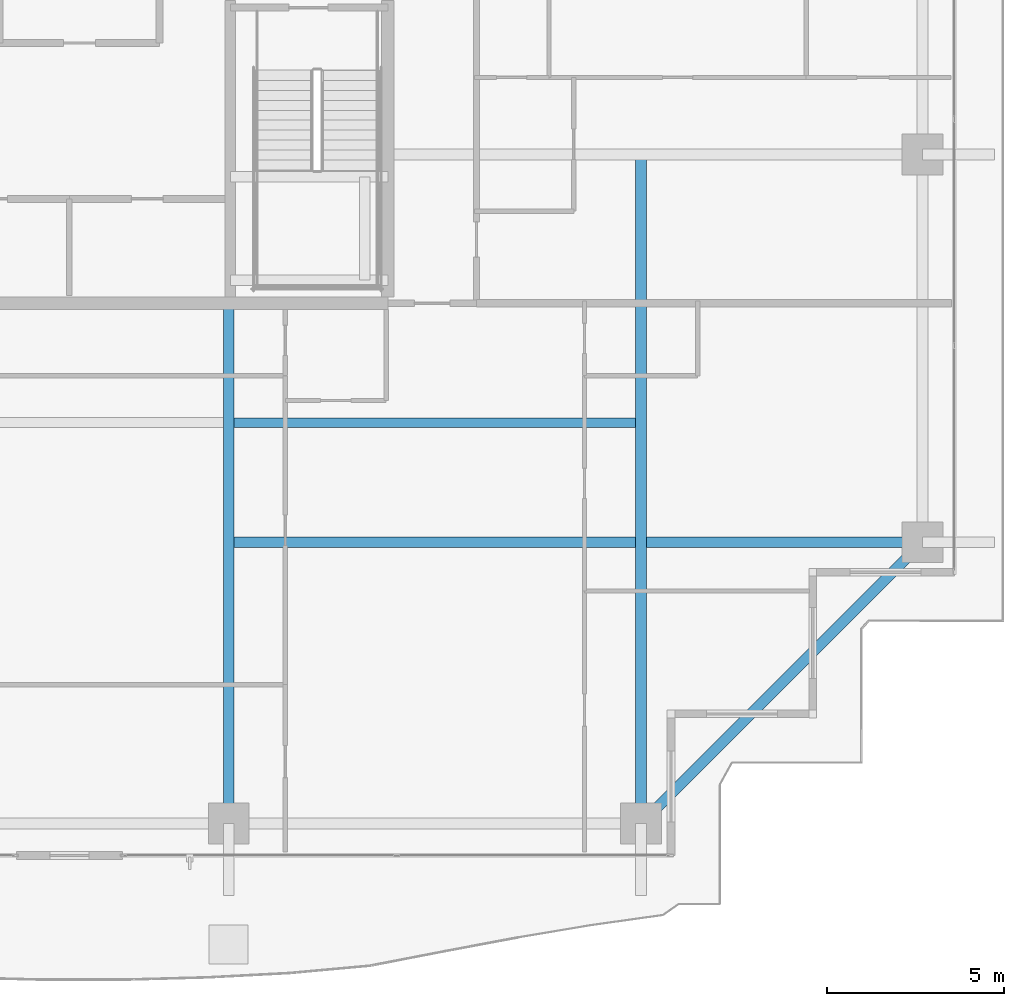
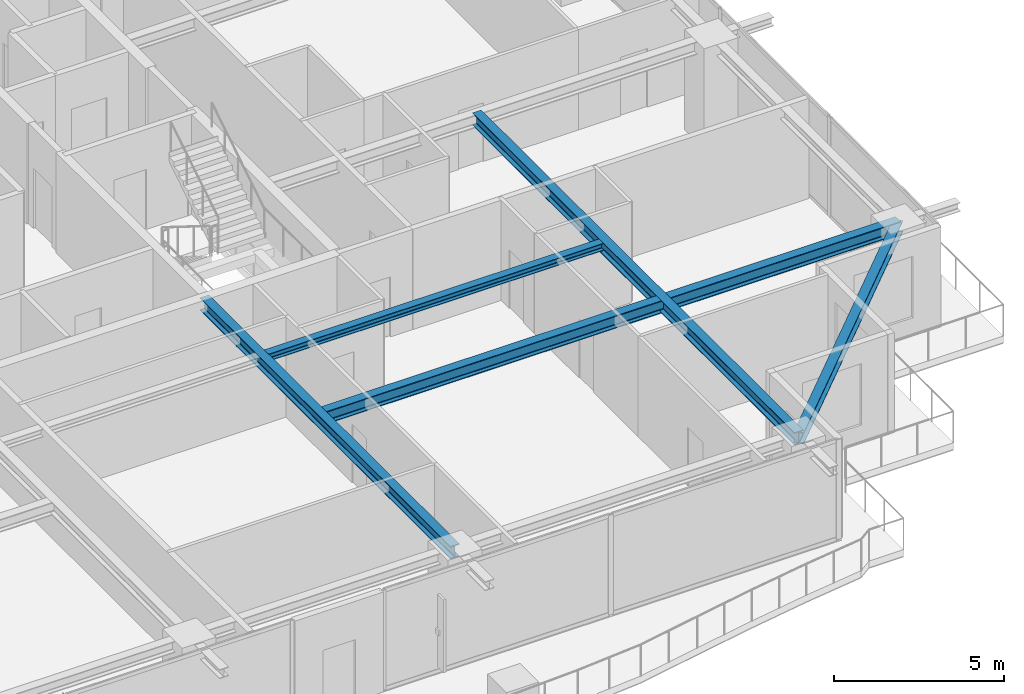
# One storey, part 12 of 37: 5 beams.
"""IFC4 building model written with IfcOpenShell, lengths in metres."""

from ifc_helpers import new_model, si_unit, direction, frame, origin, origin_2d, place, context, subcontext, project, spatial, i_section, extrude, source, transform, mapped, material, material_profile, profile_set, type_object, element, save


model = new_model("IFC4")

# Units and contexts
model_context = context("Model", 3, precision=1e-05, world=origin(), true_north=direction((0.0, 1.0)))
body_context = subcontext(model_context, "Body", "Model", "MODEL_VIEW")
ifc_project = project(units=[si_unit("LENGTHUNIT", "METRE"), si_unit("AREAUNIT", "SQUARE_METRE"), si_unit("VOLUMEUNIT", "CUBIC_METRE"), si_unit("PLANEANGLEUNIT", "RADIAN"), si_unit("MASSUNIT", "GRAM", prefix="KILO")], contexts=[model_context])

# Site, building, storey
site_placement = place(None, origin())
site = spatial("IfcSite", under=ifc_project, at=site_placement, CompositionType="ELEMENT")
building_placement = place(site_placement, origin())
building = spatial("IfcBuilding", under=site, at=building_placement, Name="Serunith Strait Residences", CompositionType="ELEMENT")
storey_placement = place(building_placement, frame((0.0, 0.0, 218.14990234375)))
storey = spatial("IfcBuildingStorey", under=building, at=storey_placement, Name="L54", CompositionType="ELEMENT", Elevation=218.14990234375)

# Beams
ifc_material = material(Name="Steel S355J2", Category="steel")
ifc_material_profile_1 = material_profile(ifc_material, i_section(OverallWidth=0.300048828125, OverallDepth=0.449951171875, WebThickness=0.013916015625, FlangeThickness=0.02587890625, FilletRadius=0.027099609375, at=origin_2d()), Name="HEB 450")
ifc_profile_set_1 = profile_set([ifc_material_profile_1], Name="Steel S355J2")
beam_type_1 = type_object("IfcBeamType", Name="BM-HEB450", PredefinedType="BEAM", material=ifc_profile_set_1)
shared_shape_1 = source(origin(), body_context, "Body", "SweptSolid", [
    extrude(i_section(OverallWidth=0.300048828125, OverallDepth=0.449951171875, WebThickness=0.013916015625, FlangeThickness=0.02587890625, FilletRadius=0.027099609375, at=origin_2d()), origin(), (0.0, 0.0, 1.0), 14.699951171875),
])
beam_1_placement = place(storey_placement, frame((36.89990234375, 16.800048828125, 3.362060546875), z_axis=(0.0, -1.0, 0.0), x_axis=(1.0, 0.0, 0.0)))
element("IfcBeam", 1, at=beam_1_placement, inside=storey, type_object=beam_type_1, Name="L54 Primary Floor Girder TC-S3", PredefinedType="BEAM", context=body_context, shape_type="MappedRepresentation", body=[
    mapped(shared_shape_1, transform((0.0, 0.0, 0.0), scale=1.0)),
])
shared_shape_2 = source(origin(), body_context, "Body", "SweptSolid", [
    extrude(i_section(OverallWidth=0.300048828125, OverallDepth=0.449951171875, WebThickness=0.013916015625, FlangeThickness=0.02587890625, FilletRadius=0.027099609375, at=origin_2d()), origin(), (0.0, 0.0, 1.0), 18.89990234375),
])
beam_2_placement = place(storey_placement, frame((48.550048828125, 21.0, 3.362060546875), z_axis=(0.0, -1.0, 0.0), x_axis=(1.0, 0.0, 0.0)))
element("IfcBeam", 2, at=beam_2_placement, inside=storey, type_object=beam_type_1, Name="L54 Orthogonal Corner Girder TC-S4", PredefinedType="BEAM", context=body_context, shape_type="MappedRepresentation", body=[
    mapped(shared_shape_2, transform((0.0, 0.0, 0.0), scale=1.0)),
])
shared_shape_3 = source(origin(), body_context, "Body", "SweptSolid", [
    extrude(i_section(OverallWidth=0.300048828125, OverallDepth=0.449951171875, WebThickness=0.013916015625, FlangeThickness=0.02587890625, FilletRadius=0.027099609375, at=origin_2d()), origin(), (0.0, 0.0, 1.0), 19.60009765625),
])
beam_3_placement = place(storey_placement, frame((36.89990234375, 10.050048828125, 3.362060546875), z_axis=(1.0, 0.0, 0.0), x_axis=(0.0, 1.0, 0.0)))
element("IfcBeam", 3, at=beam_3_placement, inside=storey, type_object=beam_type_1, Name="L54 Orthogonal Corner Girder TC-E1", PredefinedType="BEAM", context=body_context, shape_type="MappedRepresentation", body=[
    mapped(shared_shape_3, transform((0.0, 0.0, 0.0), scale=1.0)),
])
ifc_material_profile_2 = material_profile(ifc_material, i_section(OverallWidth=0.300048828125, OverallDepth=0.39990234375, WebThickness=0.013427734375, FlangeThickness=0.02392578125, FilletRadius=0.027099609375, at=origin_2d()), Name="HEB 400")
ifc_profile_set_2 = profile_set([ifc_material_profile_2], Name="Steel S355J2")
beam_type_2 = type_object("IfcBeamType", Name="BM-HEB400", PredefinedType="BEAM", material=ifc_profile_set_2)
shared_shape_4 = source(origin(), body_context, "Body", "SweptSolid", [
    extrude(i_section(OverallWidth=0.300048828125, OverallDepth=0.39990234375, WebThickness=0.013427734375, FlangeThickness=0.02392578125, FilletRadius=0.027099609375, at=origin_2d()), origin(), (0.0, 0.0, 1.0), 11.242919921875),
])
beam_4_placement = place(storey_placement, frame((48.550048828125, 2.10009765625, 3.357177734375), z_axis=(0.707106781187, 0.707106781187, 0.0), x_axis=(-0.707106781187, 0.707106781187, 0.0)))
element("IfcBeam", 4, at=beam_4_placement, inside=storey, type_object=beam_type_2, Name="L54 Perimeter Ring Beam 04", PredefinedType="BEAM", context=body_context, shape_type="MappedRepresentation", body=[
    mapped(shared_shape_4, transform((0.0, 0.0, 0.0), scale=1.0)),
])
ifc_material_profile_3 = material_profile(ifc_material, i_section(OverallWidth=0.260009765625, OverallDepth=0.260009765625, WebThickness=0.010009765625, FlangeThickness=0.017578125, FilletRadius=0.02392578125, at=origin_2d()), Name="HEB 260")
ifc_profile_set_3 = profile_set([ifc_material_profile_3], Name="Steel S355J2")
beam_type_3 = type_object("IfcBeamType", Name="BM-HEB260", PredefinedType="JOIST", material=ifc_profile_set_3)
shared_shape_5 = source(origin(), body_context, "Body", "SweptSolid", [
    extrude(i_section(OverallWidth=0.260009765625, OverallDepth=0.260009765625, WebThickness=0.010009765625, FlangeThickness=0.017578125, FilletRadius=0.02392578125, at=origin_2d()), origin(), (0.0, 0.0, 1.0), 11.349853515625),
])
beam_5_placement = place(storey_placement, frame((37.050048828125, 13.425048828125, 3.45703125), z_axis=(1.0, 0.0, 0.0), x_axis=(0.0, 1.0, 0.0)))
element("IfcBeam", 5, at=beam_5_placement, inside=storey, type_object=beam_type_3, Name="L54 Composite Floor Joist 03", PredefinedType="JOIST", context=body_context, shape_type="MappedRepresentation", body=[
    mapped(shared_shape_5, transform((0.0, 0.0, 0.0), scale=1.0)),
])

save(model, "model.ifc")
